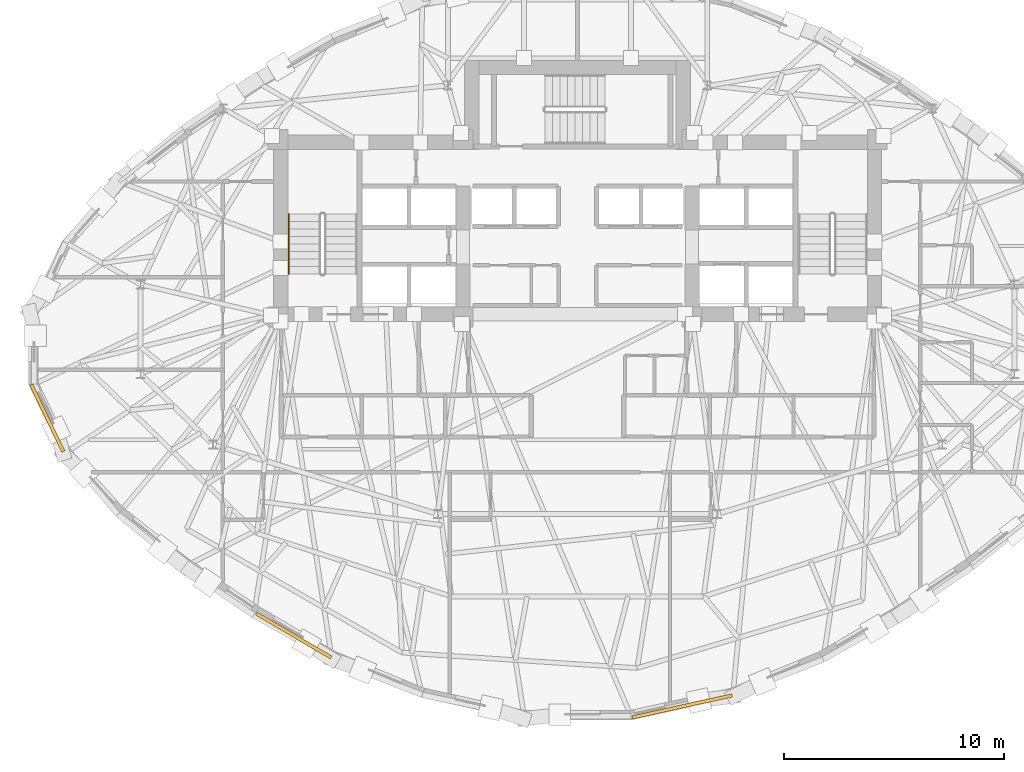
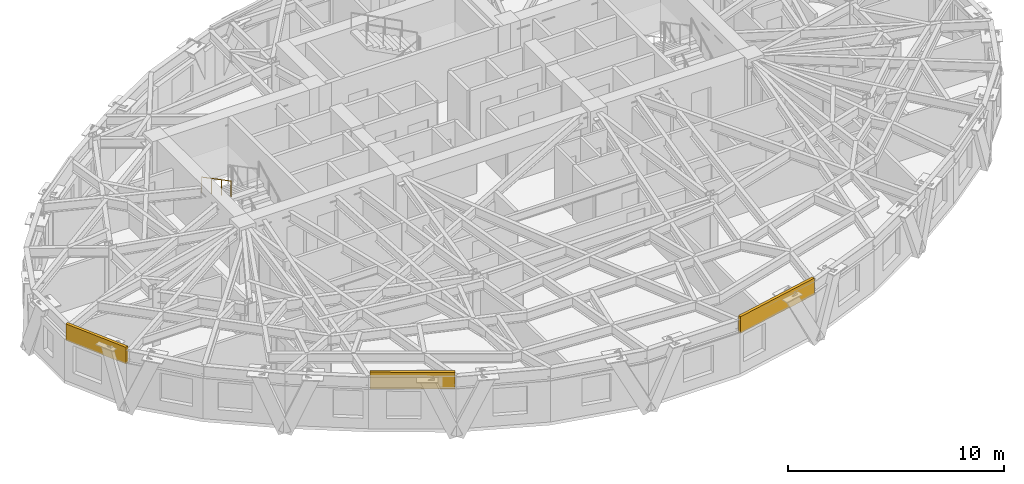
# One storey, part 11 of 14: 3 coverings, 1 railing.
"""IFC4 building model written with IfcOpenShell, lengths in metres."""

from ifc_helpers import new_model, si_unit, direction, frame, origin, origin_2d, place, context, subcontext, project, spatial, rectangle, circle, extrude, material, layer, layer_set, type_object, element, save


model = new_model("IFC4")

# Units and contexts
model_context = context("Model", 3, precision=1e-05, world=origin(), true_north=direction((0.0, 1.0)))
body_context = subcontext(model_context, "Body", "Model", "MODEL_VIEW")
ifc_project = project(units=[si_unit("LENGTHUNIT", "METRE"), si_unit("AREAUNIT", "SQUARE_METRE"), si_unit("VOLUMEUNIT", "CUBIC_METRE"), si_unit("PLANEANGLEUNIT", "RADIAN"), si_unit("MASSUNIT", "GRAM", prefix="KILO")], contexts=[model_context])

# Site, building, storey
site_placement = place(None, origin())
site = spatial("IfcSite", under=ifc_project, at=site_placement, CompositionType="ELEMENT")
building_placement = place(site_placement, origin())
building = spatial("IfcBuilding", under=site, at=building_placement, Name="Keldmark Tower", CompositionType="ELEMENT")
storey_placement = place(building_placement, frame((0.0, 0.0, 185.39990234375)))
storey = spatial("IfcBuildingStorey", under=building, at=storey_placement, Name="L51", CompositionType="ELEMENT", Elevation=185.39990234375)

# Coverings
ifc_material_1 = material(Name="Honed Kasota Buff Dolomitic Limestone", Category="masonry")
ifc_layer = layer(ifc_material_1, 0.074951171875)
ifc_layer_set = layer_set([ifc_layer], Name="Honed Kasota Buff Dolomitic Limestone")
covering_type = type_object("IfcCoveringType", Name="Kasota Buff Limestone Spandrel Cladding Band", PredefinedType="CLADDING", material=ifc_layer_set)
covering_1_placement = place(storey_placement, frame((-24.067626953125, -3.191650390625, 2.2392578125), z_axis=(0.0, 0.0, 1.0), x_axis=(0.432762444771, -0.901507995747, 0.0)))
element("IfcCovering", 1, at=covering_1_placement, inside=storey, type_object=covering_type, Name="L51 Kasota Limestone Spandrel Band 17", PredefinedType="CLADDING", context=body_context, shape_type="SweptSolid", body=[
    extrude(rectangle(XDim=3.37451171875, YDim=0.14990234375, at=origin_2d()), origin(), (0.0, 0.0, 1.0), 0.94091796875),
])
covering_2_placement = place(storey_placement, frame((-12.87744140625, -13.061767578125, 2.2392578125), z_axis=(0.0, 0.0, 1.0), x_axis=(0.862266271476, -0.506455207373, 0.0)))
element("IfcCovering", 2, at=covering_2_placement, inside=storey, type_object=covering_type, Name="L51 Kasota Limestone Spandrel Band 21", PredefinedType="CLADDING", context=body_context, shape_type="SweptSolid", body=[
    extrude(rectangle(XDim=3.9384765625, YDim=0.14990234375, at=origin_2d()), origin(), (0.0, 0.0, 1.0), 0.94091796875),
])
covering_3_placement = place(storey_placement, frame((4.75439453125, -16.27587890625, 2.2392578125), z_axis=(0.0, 0.0, 1.0), x_axis=(0.976514606727, 0.215451207582, 0.0)))
element("IfcCovering", 3, at=covering_3_placement, inside=storey, type_object=covering_type, Name="L51 Kasota Limestone Spandrel Band 25", PredefinedType="CLADDING", context=body_context, shape_type="SweptSolid", body=[
    extrude(rectangle(XDim=4.638427734375, YDim=0.14990234375, at=origin_2d()), origin(), (0.0, 0.0, 1.0), 0.94091796875),
])

# Railing
ifc_material_2 = material(Name="Stainless Steel AISI 316L", Category="steel")
railing_type = type_object("IfcRailingType", Name="Stainless Steel Stair Handrail 900 mm", PredefinedType="HANDRAIL", material=ifc_material_2)
railing_placement = place(storey_placement, frame((-13.10009765625, 6.070068359375, 1.77783203125)))
element("IfcRailing", 4, at=railing_placement, inside=storey, type_object=railing_type, Name="L51 ST1 stair handrail 2", PredefinedType="HANDRAIL", context=body_context, shape_type="SweptSolid", body=[
    extrude(circle(Radius=0.02392578125, at=origin_2d()), frame((0.0, 0.0, 0.8759765625), z_axis=(0.0, -0.886150474775, 0.463397600399), x_axis=(1.0, 0.0, 0.0)), (0.0, 0.0, 1.0), 3.0693359375),
    extrude(circle(Radius=0.02099609375, at=origin_2d()), origin(), (0.0, 0.0, 1.0), 0.851806640625),
    extrude(circle(Radius=0.02099609375, at=origin_2d()), frame((0.0, -0.90673828125, 0.47412109375)), (0.0, 0.0, 1.0), 0.851806640625),
    extrude(circle(Radius=0.02099609375, at=origin_2d()), frame((0.0, -1.813232421875, 0.9482421875)), (0.0, 0.0, 1.0), 0.851806640625),
    extrude(circle(Radius=0.02099609375, at=origin_2d()), frame((0.0, -2.719970703125, 1.42236328125)), (0.0, 0.0, 1.0), 0.851806640625),
])

save(model, "model.ifc")
